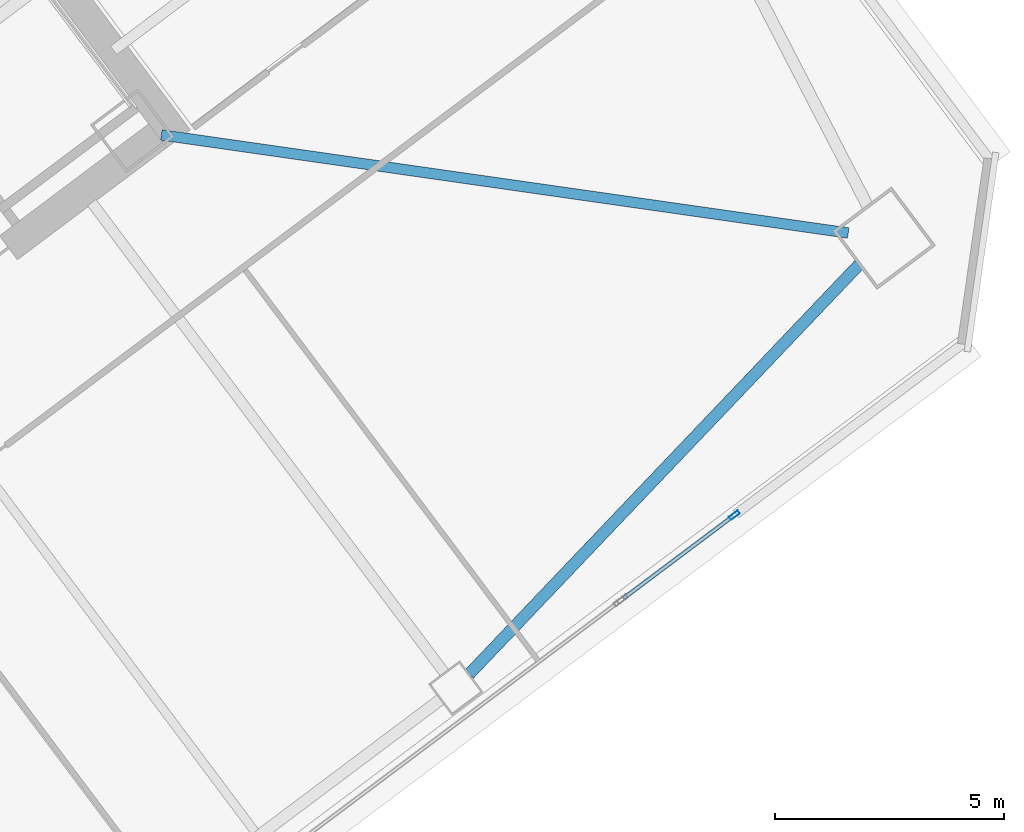
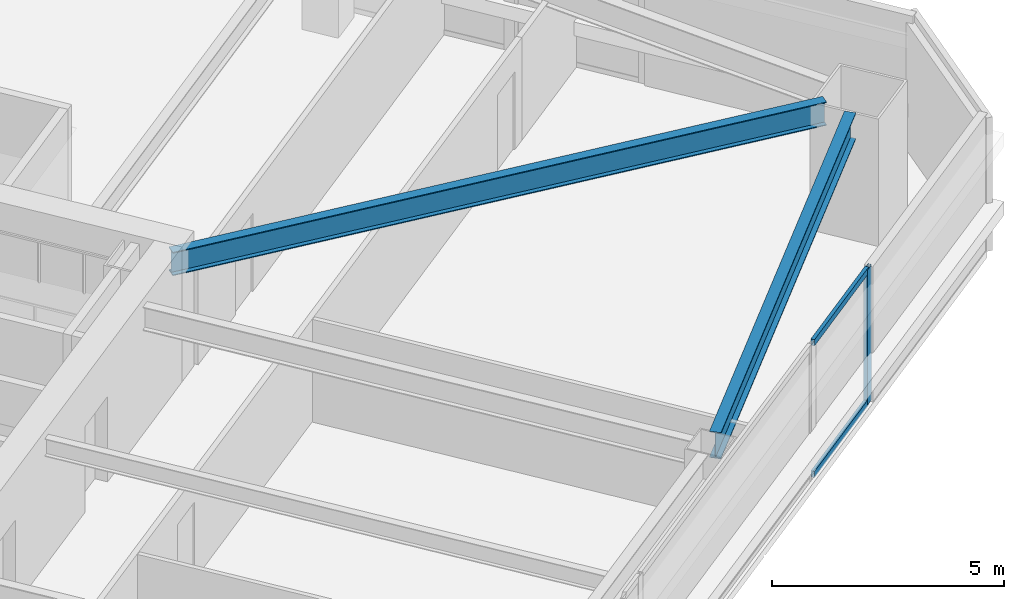
# One storey, part 26 of 48: 3 members, 2 beams, 1 element without a shape of its own.
"""IFC4 building model written with IfcOpenShell, lengths in metres."""

from ifc_helpers import new_model, si_unit, direction, frame, origin, origin_2d, place, context, subcontext, project, spatial, hollow_rectangle, i_section, extrude, material, material_profile, profile_set, type_object, element, aggregate, save


model = new_model("IFC4")

# Units and contexts
model_context = context("Model", 3, precision=1e-05, world=origin(), true_north=direction((0.0, 1.0)))
body_context = subcontext(model_context, "Body", "Model", "MODEL_VIEW")
ifc_project = project(units=[si_unit("LENGTHUNIT", "METRE"), si_unit("AREAUNIT", "SQUARE_METRE"), si_unit("VOLUMEUNIT", "CUBIC_METRE"), si_unit("PLANEANGLEUNIT", "RADIAN"), si_unit("MASSUNIT", "GRAM", prefix="KILO")], contexts=[model_context])

# Site, building, storey
site_placement = place(None, origin())
site = spatial("IfcSite", under=ifc_project, at=site_placement, CompositionType="ELEMENT")
building_placement = place(site_placement, origin())
building = spatial("IfcBuilding", under=site, at=building_placement, Name="Tashvorn Skyway Center", CompositionType="ELEMENT")
storey_placement = place(building_placement, frame((0.0, 0.0, 56.550048828125)))
storey = spatial("IfcBuildingStorey", under=building, at=storey_placement, Name="L14", CompositionType="ELEMENT", Elevation=56.550048828125)

# Beams
ifc_material_1 = material(Name="Steel ASTM A992 Grade 50", Category="steel")
ifc_material_profile_1 = material_profile(ifc_material_1, i_section(OverallWidth=0.22998046875, OverallDepth=0.616943359375, WebThickness=0.01318359375, FlangeThickness=0.022216796875, at=origin_2d()), Name="W24X94")
ifc_profile_set_1 = profile_set([ifc_material_profile_1], Name="Steel ASTM A992 Grade 50")
beam_type_1 = type_object("IfcBeamType", Name="BM-BEAM-W24X94", PredefinedType="BEAM", material=ifc_profile_set_1)
beam_1_placement = place(storey_placement, frame((139.532958984375, 28.3525390625, 3.04150390625), z_axis=(-0.989950458816, 0.141414599991, 0.0), x_axis=(-0.141414599991, -0.989950458816, 0.0)))
element("IfcBeam", 1, at=beam_1_placement, inside=storey, type_object=beam_type_1, Name="Tower 2 L14 Primary Floor Girder MC-SE", PredefinedType="BEAM", context=body_context, shape_type="SweptSolid", body=[
    extrude(i_section(OverallWidth=0.22998046875, OverallDepth=0.616943359375, WebThickness=0.01318359375, FlangeThickness=0.022216796875, at=origin_2d()), origin(), (0.0, 0.0, 1.0), 15.177001953125),
])
ifc_material_profile_2 = material_profile(ifc_material_1, i_section(OverallWidth=0.256103515625, OverallDepth=0.693115234375, WebThickness=0.014404296875, FlangeThickness=0.023681640625, at=origin_2d()), Name="W27X114")
ifc_profile_set_2 = profile_set([ifc_material_profile_2], Name="Steel ASTM A992 Grade 50")
beam_type_2 = type_object("IfcBeamType", Name="BM-SPANDREL-W27X114", PredefinedType="SPANDREL", material=ifc_profile_set_2)
beam_2_placement = place(storey_placement, frame((131.23974609375, 18.7041015625, 3.00341796875), z_axis=(0.689589637236, 0.724200339835, 0.0), x_axis=(-0.724200339835, 0.689589637236, 0.0)))
element("IfcBeam", 2, at=beam_2_placement, inside=storey, type_object=beam_type_2, Name="Tower 2 L14 Spandrel Beam 03", PredefinedType="SPANDREL", context=body_context, shape_type="SweptSolid", body=[
    extrude(i_section(OverallWidth=0.256103515625, OverallDepth=0.693115234375, WebThickness=0.014404296875, FlangeThickness=0.023681640625, at=origin_2d()), origin(), (0.0, 0.0, 1.0), 12.37255859375),
])

# Curtain wall, members
ifc_material_2 = material(Name="Thermally broken bronze-anodized aluminium 6063-T6", Category="aluminium")
curtain_wall_type = type_object("IfcCurtainWallType", Name="CW-CW-Z1", PredefinedType="NOTDEFINED", material=ifc_material_2)
curtain_wall_placement = place(storey_placement, origin())
curtain_wall = element("IfcCurtainWall", 3, at=curtain_wall_placement, inside=storey, type_object=curtain_wall_type, Name="Tower 2 L14 South Unitised Curtain Wall Glazing Group 1", PredefinedType="NOTDEFINED")
ifc_material_profile_3 = material_profile(ifc_material_2, hollow_rectangle(XDim=0.0849609375, YDim=0.239990234375, WallThickness=0.0048828125, at=origin_2d()), Name="ALU-MULL-85x240")
ifc_profile_set_3 = profile_set([ifc_material_profile_3], Name="Thermally broken bronze-anodized aluminium 6063-T6")
member_type_1 = type_object("IfcMemberType", Name="CWM-CW-Z1", PredefinedType="MULLION", material=ifc_profile_set_3)
member_1_placement = place(storey_placement, frame((137.043212890625, 22.1826171875, 0.0), z_axis=(0.0, 0.0, 1.0), x_axis=(0.600005084776, -0.799996186392, 0.0)))
member_1 = element("IfcMember", 4, at=member_1_placement, type_object=member_type_1, Name="CW-Z1 mullion 1", PredefinedType="MULLION", context=body_context, shape_type="SweptSolid", body=[
    extrude(hollow_rectangle(XDim=0.0849609375, YDim=0.239990234375, WallThickness=0.0048828125, at=origin_2d()), origin(), (0.0, 0.0, 1.0), 3.550048828125),
])
ifc_material_profile_4 = material_profile(ifc_material_2, hollow_rectangle(XDim=0.0849609375, YDim=0.1650390625, WallThickness=0.0048828125, at=origin_2d()), Name="ALU-TRAN-85x165")
ifc_profile_set_4 = profile_set([ifc_material_profile_4], Name="Thermally broken bronze-anodized aluminium 6063-T6")
member_type_2 = type_object("IfcMemberType", Name="CWT-CW-Z1", PredefinedType="USERDEFINED", material=ifc_profile_set_4)
member_2_placement = place(storey_placement, frame((137.00927734375, 22.156982421875, 0.04248046875), z_axis=(-0.800019684286, -0.599973753388, 0.0), x_axis=(0.599973753388, -0.800019684286, 0.0)))
member_2 = element("IfcMember", 5, at=member_2_placement, type_object=member_type_2, Name="CW-Z1 transom 1.1", ObjectType="TRANSOM", PredefinedType="USERDEFINED", context=body_context, shape_type="SweptSolid", body=[
    extrude(hollow_rectangle(XDim=0.0849609375, YDim=0.1650390625, WallThickness=0.0048828125, at=origin_2d()), origin(), (0.0, 0.0, 1.0), 2.9765625),
])
member_3_placement = place(storey_placement, frame((137.00927734375, 22.156982421875, 3.507568359375), z_axis=(-0.800019684286, -0.599973753388, 0.0), x_axis=(0.599973753388, -0.800019684286, 0.0)))
member_3 = element("IfcMember", 6, at=member_3_placement, type_object=member_type_2, Name="CW-Z1 transom 1.2", ObjectType="TRANSOM", PredefinedType="USERDEFINED", context=body_context, shape_type="SweptSolid", body=[
    extrude(hollow_rectangle(XDim=0.0849609375, YDim=0.1650390625, WallThickness=0.0048828125, at=origin_2d()), origin(), (0.0, 0.0, 1.0), 2.9765625),
])
aggregate(curtain_wall, [member_1, member_2, member_3])

save(model, "model.ifc")
